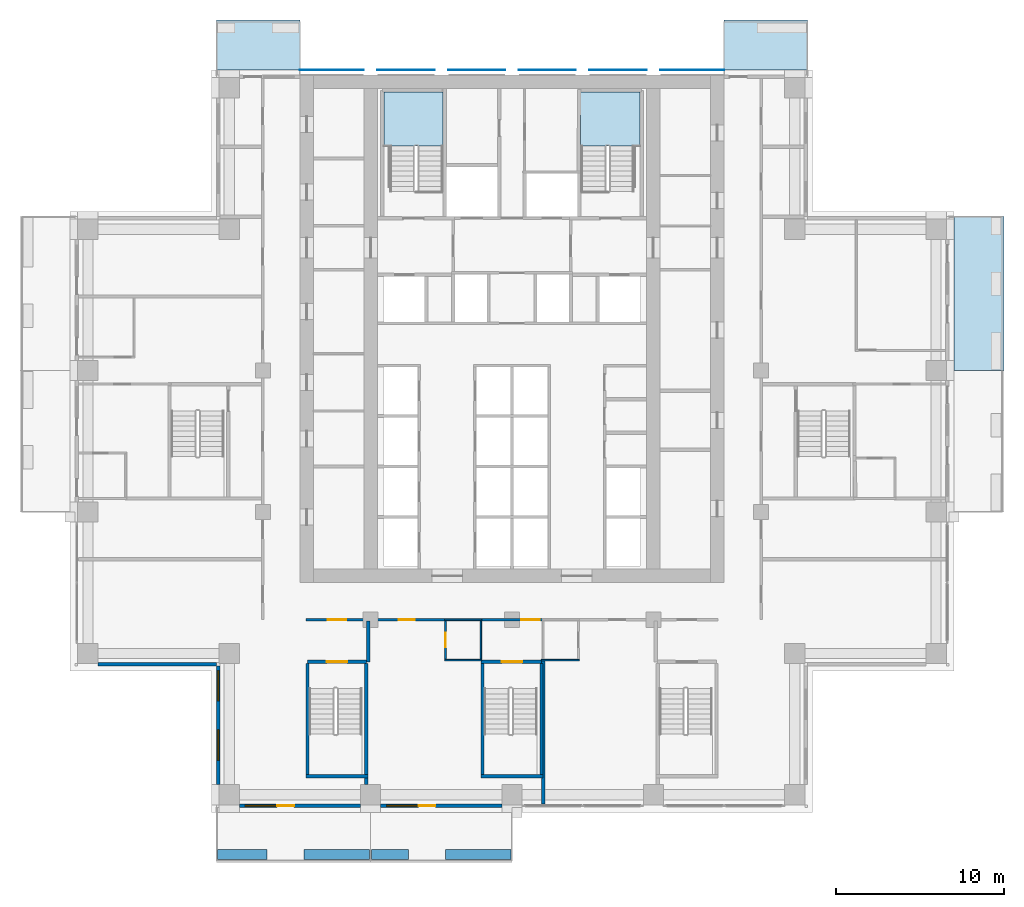
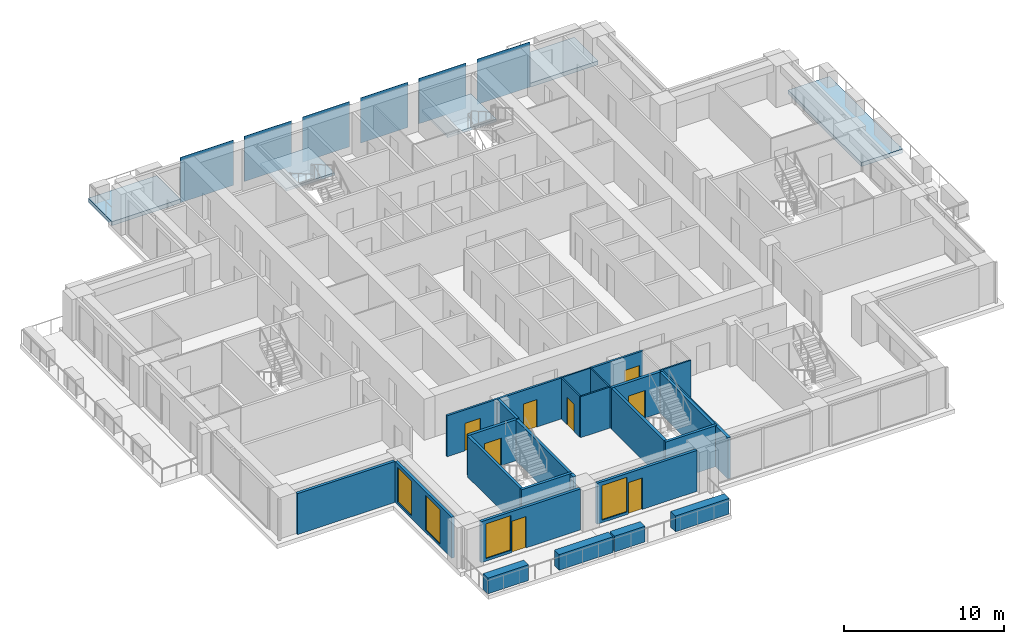
# One storey, part 6 of 16: 25 walls, 8 doors, 6 plates, 5 slabs, 4 windows, 12 openings, 2 elements without a shape of their own.
"""IFC4 building model written with IfcOpenShell, lengths in metres."""

from ifc_helpers import new_model, si_unit, direction, frame, frame_2d, origin, origin_2d, place, context, subcontext, project, spatial, polyline, rectangle, outline, extrude, material, layer, layer_set, type_object, element, fill, aggregate, save


model = new_model("IFC4")

# Units and contexts
model_context = context("Model", 3, precision=1e-05, world=origin(), true_north=direction((0.0, 1.0)))
body_context = subcontext(model_context, "Body", "Model", "MODEL_VIEW")
ifc_project = project(units=[si_unit("LENGTHUNIT", "METRE"), si_unit("AREAUNIT", "SQUARE_METRE"), si_unit("VOLUMEUNIT", "CUBIC_METRE"), si_unit("PLANEANGLEUNIT", "RADIAN"), si_unit("MASSUNIT", "GRAM", prefix="KILO")], contexts=[model_context])

# Site, building, storey
site_placement = place(None, origin())
site = spatial("IfcSite", under=ifc_project, at=site_placement, CompositionType="ELEMENT")
building_placement = place(site_placement, origin())
building = spatial("IfcBuilding", under=site, at=building_placement, Name="Vermilion Ogive Tower", CompositionType="ELEMENT")
storey_placement = place(building_placement, frame((0.0, 0.0, 101.10009765625)))
storey = spatial("IfcBuildingStorey", under=building, at=storey_placement, Name="L25", CompositionType="ELEMENT", Elevation=101.10009765625)

# Slabs
ifc_material_1 = material(Name="Concrete B40", Category="concrete")
ifc_layer_1 = layer(ifc_material_1, 0.300048828125)
ifc_layer_set_1 = layer_set([ifc_layer_1], Name="Balcony slab")
slab_type_1 = type_object("IfcSlabType", Name="Balcony slab", PredefinedType="FLOOR", material=ifc_layer_set_1)
slab_1_placement = place(storey_placement, frame((0.0, 0.0, -0.340087890625)))
element("IfcSlab", 1, at=slab_1_placement, inside=storey, type_object=slab_type_1, Name="Balcony slab E03", PredefinedType="FLOOR", context=body_context, shape_type="SweptSolid", body=[
    extrude(outline(polyline([(29.22998046875, 4.199951171875), (29.22998046875, 13.35009765625), (26.25, 13.35009765625), (26.25, 4.199951171875), (29.22998046875, 4.199951171875)])), origin(), (0.0, 0.0, 1.0), 0.300048828125),
])
slab_2_placement = place(storey_placement, frame((0.0, 0.0, -0.340087890625)))
element("IfcSlab", 2, at=slab_2_placement, inside=storey, type_object=slab_type_1, Name="Balcony slab N101", PredefinedType="FLOOR", context=body_context, shape_type="SweptSolid", body=[
    extrude(outline(polyline([(17.550048828125, 25.030029296875), (12.60009765625, 25.030029296875), (12.60009765625, 22.050048828125), (17.550048828125, 22.050048828125), (17.550048828125, 25.030029296875)])), origin(), (0.0, 0.0, 1.0), 0.300048828125),
])
slab_3_placement = place(storey_placement, frame((0.0, 0.0, -0.340087890625)))
element("IfcSlab", 3, at=slab_3_placement, inside=storey, type_object=slab_type_1, Name="Balcony slab N201", PredefinedType="FLOOR", context=body_context, shape_type="SweptSolid", body=[
    extrude(outline(polyline([(-12.60009765625, 25.030029296875), (-17.550048828125, 25.030029296875), (-17.550048828125, 22.050048828125), (-12.60009765625, 22.050048828125), (-12.60009765625, 25.030029296875)])), origin(), (0.0, 0.0, 1.0), 0.300048828125),
])

# Plates
ifc_material_2 = material(Name="Low-iron laminated glazing in aluminium frame", Category="aluminium")
ifc_layer_2 = layer(ifc_material_2, 0.031982421875)
ifc_layer_set_2 = layer_set([ifc_layer_2], Name="Glazed rainscreen sheet 32")
plate_type = type_object("IfcPlateType", Name="Glazed rainscreen sheet 32", PredefinedType="SHEET", material=ifc_layer_set_2)
plate_1_placement = place(storey_placement, frame((-10.7099609375, 22.06591796875, -0.3203125), z_axis=(0.0, 0.0, 1.0), x_axis=(1.0, 0.0, 0.0)))
element("IfcPlate", 4, at=plate_1_placement, inside=storey, type_object=plate_type, Name="Glazed rainscreen sheet N1", PredefinedType="SHEET", context=body_context, shape_type="SweptSolid", body=[
    extrude(rectangle(XDim=3.820068359375, YDim=0.031982421875, at=origin_2d()), origin(), (0.0, 0.0, 1.0), 3.449951171875),
])
for number, where, z_axis, x_axis, name in (
    (5, (-6.300048828125, 22.06591796875, -0.3203125), (0.0, 0.0, 1.0), (1.0, 0.0, 0.0), "Glazed rainscreen sheet N2"),
    (6, (-2.10009765625, 22.06591796875, -0.3203125), (0.0, 0.0, 1.0), (1.0, 0.0, 0.0), "Glazed rainscreen sheet N3"),
    (7, (2.10009765625, 22.06591796875, -0.3203125), (0.0, 0.0, 1.0), (1.0, 0.0, 0.0), "Glazed rainscreen sheet N4"),
    (8, (6.300048828125, 22.06591796875, -0.3203125), (0.0, 0.0, 1.0), (1.0, 0.0, 0.0), "Glazed rainscreen sheet N5"),
):
    element("IfcPlate", number, at=place(storey_placement, frame(where, z_axis=z_axis, x_axis=x_axis)), inside=storey, type_object=plate_type, Name=name, PredefinedType="SHEET", context=body_context, shape_type="SweptSolid", body=[
        extrude(rectangle(XDim=3.39990234375, YDim=0.031982421875, at=origin_2d()), origin(), (0.0, 0.0, 1.0), 3.449951171875),
    ])
plate_2_placement = place(storey_placement, frame((10.7099609375, 22.06591796875, -0.3203125), z_axis=(0.0, 0.0, 1.0), x_axis=(1.0, 0.0, 0.0)))
element("IfcPlate", 9, at=plate_2_placement, inside=storey, type_object=plate_type, Name="Glazed rainscreen sheet N6", PredefinedType="SHEET", context=body_context, shape_type="SweptSolid", body=[
    extrude(rectangle(XDim=3.820068359375, YDim=0.031982421875, at=origin_2d()), origin(), (0.0, 0.0, 1.0), 3.449951171875),
])

# Stair, slab
ifc_material_3 = material(Name="Concrete B40", Category="concrete")
stair_type = type_object("IfcStairType", Name="Exit stair 1500", PredefinedType="HALF_TURN_STAIR", material=ifc_material_3)
stair_1_placement = place(storey_placement, origin())
stair_1 = element("IfcStair", 10, at=stair_1_placement, inside=storey, type_object=stair_type, Name="L25 Exit Stair ST1", PredefinedType="HALF_TURN_STAIR")
ifc_material_4 = material(Name="Concrete B40", Category="concrete")
ifc_layer_3 = layer(ifc_material_4, 0.199951171875)
ifc_layer_set_3 = layer_set([ifc_layer_3], Name="Stair landing 200")
slab_type_2 = type_object("IfcSlabType", Name="Stair landing 200", PredefinedType="LANDING", material=ifc_layer_set_3)
slab_4_placement = place(storey_placement, frame((0.0, 0.0, 1.52490234375)))
slab_4 = element("IfcSlab", 11, at=slab_4_placement, type_object=slab_type_2, Name="ST1 landing 1", PredefinedType="LANDING", context=body_context, shape_type="SweptSolid", body=[
    extrude(outline(polyline([(-7.60009765625, 17.550048828125), (-7.25, 17.550048828125), (-7.25, 17.548095703125), (-5.75, 17.548095703125), (-5.75, 17.550048828125), (-5.60009765625, 17.550048828125), (-5.60009765625, 17.548095703125), (-4.10009765625, 17.548095703125), (-4.10009765625, 20.75), (-7.60009765625, 20.75), (-7.60009765625, 17.550048828125)])), origin(), (0.0, 0.0, 1.0), 0.199951171875),
])
aggregate(stair_1, [slab_4])

stair_2_placement = place(storey_placement, origin())
stair_2 = element("IfcStair", 12, at=stair_2_placement, inside=storey, type_object=stair_type, Name="L25 Exit Stair ST2", PredefinedType="HALF_TURN_STAIR")
slab_5_placement = place(storey_placement, frame((0.0, 0.0, 1.52490234375)))
slab_5 = element("IfcSlab", 13, at=slab_5_placement, type_object=slab_type_2, Name="ST2 landing 1", PredefinedType="LANDING", context=body_context, shape_type="SweptSolid", body=[
    extrude(outline(polyline([(5.60009765625, 17.550048828125), (5.75, 17.550048828125), (5.75, 17.548095703125), (7.25, 17.548095703125), (7.25, 17.550048828125), (7.60009765625, 17.550048828125), (7.60009765625, 20.75), (4.074951171875, 20.75), (4.074951171875, 17.550048828125), (4.10009765625, 17.550048828125), (4.10009765625, 17.548095703125), (5.60009765625, 17.548095703125), (5.60009765625, 17.550048828125)])), origin(), (0.0, 0.0, 1.0), 0.199951171875),
])
aggregate(stair_2, [slab_5])

# Walls
ifc_material_5 = material(Name="Gypsum board partition on steel studs", Category="steel")
ifc_layer_4 = layer(ifc_material_5, 0.10009765625)
ifc_layer_set_4 = layer_set([ifc_layer_4], Name="Partition 100 bath")
wall_type_1 = type_object("IfcWallType", Name="Partition 100 bath", PredefinedType="PARTITIONING", material=ifc_layer_set_4)
wall_1_placement = place(storey_placement, frame((-4.0, -13.0, 0.0), z_axis=(0.0, 0.0, 1.0), x_axis=(1.0, 0.0, 0.0)))
element("IfcWall", 14, at=wall_1_placement, inside=storey, type_object=wall_type_1, Name="L25-W-W005", PredefinedType="PARTITIONING", context=body_context, shape_type="SweptSolid", body=[
    extrude(rectangle(XDim=2.199951171875, YDim=0.10009765625, at=frame_2d((1.10009765625, 0.0))), origin(), (0.0, 0.0, 1.0), 3.1298828125),
])
wall_2_placement = place(storey_placement, frame((1.75, -13.0, 0.0), z_axis=(0.0, 0.0, 1.0), x_axis=(1.0, 0.0, 0.0)))
element("IfcWall", 15, at=wall_2_placement, inside=storey, type_object=wall_type_1, Name="L25-W-W006", PredefinedType="PARTITIONING", context=body_context, shape_type="SweptSolid", body=[
    extrude(rectangle(XDim=2.25, YDim=0.10009765625, at=frame_2d((1.125, 0.0))), origin(), (0.0, 0.0, 1.0), 3.1298828125),
])
wall_3_placement = place(storey_placement, frame((-4.0, -10.60009765625, 0.0), z_axis=(0.0, 0.0, 1.0), x_axis=(1.0, 0.0, 0.0)))
element("IfcWall", 16, at=wall_3_placement, inside=storey, type_object=wall_type_1, Name="L25-W-W008", PredefinedType="PARTITIONING", context=body_context, shape_type="SweptSolid", body=[
    extrude(rectangle(XDim=2.199951171875, YDim=0.10009765625, at=frame_2d((1.10009765625, 0.0))), origin(), (0.0, 0.0, 1.0), 3.1298828125),
])

# Wall, opening, door
wall_4_placement = place(storey_placement, frame((-3.949951171875, -12.949951171875, 0.0), z_axis=(0.0, 0.0, 1.0), x_axis=(0.0, 1.0, 0.0)))
wall_4 = element("IfcWall", 17, at=wall_4_placement, inside=storey, type_object=wall_type_1, Name="L25-W-W038", PredefinedType="PARTITIONING", context=body_context, shape_type="SweptSolid", body=[
    extrude(rectangle(XDim=2.27490234375, YDim=0.10009765625, at=frame_2d((1.137451171875, 0.0))), origin(), (0.0, 0.0, 1.0), 3.1298828125),
])
opening_1_placement = place(wall_4_placement, frame((0.724853515625, 0.0, 0.0)))
opening_1 = element("IfcOpeningElement", 18, at=opening_1_placement, cuts=wall_4, Name="Opening D2G3010", PredefinedType="OPENING", context=body_context, shape_type="SweptSolid", body=[
    extrude(rectangle(XDim=0.85009765625, YDim=2.10009765625, at=frame_2d((0.425048828125, 1.050048828125))), frame((0.0, 0.06005859375, 0.0), z_axis=(0.0, -1.0, 0.0), x_axis=(1.0, 0.0, 0.0)), (0.0, 0.0, 1.0), 0.1201171875),
])
ifc_material_6 = material(Name="Timber door leaf", Category="wood")
door_type_1 = type_object("IfcDoorType", Name="Bath door 850 x 2100 FD30", OperationType="SINGLE_SWING_LEFT", PredefinedType="DOOR", material=ifc_material_6)
door_1_placement = place(opening_1_placement, origin())
door_1 = element("IfcDoor", 19, at=door_1_placement, inside=storey, type_object=door_type_1, Name="L25-D-D010", OperationType="SINGLE_SWING_RIGHT", OverallHeight=2.10009765625, OverallWidth=0.85009765625, PredefinedType="DOOR", context=body_context, shape_type="SweptSolid", body=[
    extrude(rectangle(XDim=0.85009765625, YDim=2.10009765625, at=frame_2d((0.425048828125, 1.050048828125))), frame((0.0, 0.02490234375, 0.0), z_axis=(0.0, -1.0, 0.0), x_axis=(1.0, 0.0, 0.0)), (0.0, 0.0, 1.0), 0.050048828125),
])
fill(opening_1, door_1)

# Wall
wall_5_placement = place(storey_placement, frame((-1.85009765625, -12.949951171875, 0.0), z_axis=(0.0, 0.0, 1.0), x_axis=(0.0, 1.0, 0.0)))
element("IfcWall", 20, at=wall_5_placement, inside=storey, type_object=wall_type_1, Name="L25-W-W039", PredefinedType="PARTITIONING", context=body_context, shape_type="SweptSolid", body=[
    extrude(rectangle(XDim=2.27490234375, YDim=0.10009765625, at=frame_2d((1.137451171875, 0.0))), origin(), (0.0, 0.0, 1.0), 3.1298828125),
])

# Wall, openings, doors
ifc_material_7 = material(Name="Gypsum board partition on steel studs", Category="steel")
ifc_layer_5 = layer(ifc_material_7, 0.14990234375)
ifc_layer_set_5 = layer_set([ifc_layer_5], Name="Partition 150 corridor")
wall_type_2 = type_object("IfcWallType", Name="Partition 150 corridor", PredefinedType="PARTITIONING", material=ifc_layer_set_5)
wall_6_placement = place(storey_placement, frame((-12.25, -10.60009765625, 0.0), z_axis=(0.0, 0.0, 1.0), x_axis=(1.0, 0.0, 0.0)))
wall_6 = element("IfcWall", 21, at=wall_6_placement, inside=storey, type_object=wall_type_2, Name="L25-W-W007", PredefinedType="PARTITIONING", context=body_context, shape_type="SweptSolid", body=[
    extrude(rectangle(XDim=8.35009765625, YDim=0.14990234375, at=frame_2d((4.175048828125, 0.0))), origin(), (0.0, 0.0, 1.0), 3.1298828125),
])
opening_2_placement = place(wall_6_placement, frame((5.52490234375, 0.0, 0.0)))
opening_2 = element("IfcOpeningElement", 22, at=opening_2_placement, cuts=wall_6, Name="Opening D2G3009", PredefinedType="OPENING", context=body_context, shape_type="SweptSolid", body=[
    extrude(rectangle(XDim=0.949951171875, YDim=2.10009765625, at=frame_2d((0.47509765625, 1.050048828125))), frame((0.0, 0.0849609375, 0.0), z_axis=(0.0, -1.0, 0.0), x_axis=(1.0, 0.0, 0.0)), (0.0, 0.0, 1.0), 0.169921875),
])
opening_3_placement = place(wall_6_placement, frame((1.300048828125, 0.0, 0.0)))
opening_3 = element("IfcOpeningElement", 23, at=opening_3_placement, cuts=wall_6, Name="Opening D2G3020", PredefinedType="OPENING", context=body_context, shape_type="SweptSolid", body=[
    extrude(rectangle(XDim=1.10009765625, YDim=2.10009765625, at=frame_2d((0.550048828125, 1.050048828125))), frame((0.0, 0.0849609375, 0.0), z_axis=(0.0, -1.0, 0.0), x_axis=(1.0, 0.0, 0.0)), (0.0, 0.0, 1.0), 0.169921875),
])
ifc_material_8 = material(Name="Timber door leaf", Category="wood")
door_type_2 = type_object("IfcDoorType", Name="Stair door 1100 x 2100 FD60S", OperationType="SINGLE_SWING_LEFT", PredefinedType="DOOR", material=ifc_material_8)
door_2_placement = place(opening_3_placement, origin())
door_2 = element("IfcDoor", 24, at=door_2_placement, inside=storey, type_object=door_type_2, Name="L25-D-D020", OperationType="SINGLE_SWING_RIGHT", OverallHeight=2.10009765625, OverallWidth=1.10009765625, PredefinedType="DOOR", context=body_context, shape_type="SweptSolid", body=[
    extrude(rectangle(XDim=1.10009765625, YDim=2.10009765625, at=frame_2d((0.550048828125, 1.050048828125))), frame((0.0, 0.02490234375, 0.0), z_axis=(0.0, -1.0, 0.0), x_axis=(1.0, 0.0, 0.0)), (0.0, 0.0, 1.0), 0.050048828125),
])
fill(opening_3, door_2)
ifc_material_9 = material(Name="Timber door leaf", Category="wood")
door_type_3 = type_object("IfcDoorType", Name="Unit door 950 x 2100 FD30S", OperationType="SINGLE_SWING_LEFT", PredefinedType="DOOR", material=ifc_material_9)
door_3_placement = place(opening_2_placement, origin())
door_3 = element("IfcDoor", 25, at=door_3_placement, inside=storey, type_object=door_type_3, Name="L25-D-D009", OperationType="SINGLE_SWING_LEFT", OverallHeight=2.10009765625, OverallWidth=0.949951171875, PredefinedType="DOOR", context=body_context, shape_type="SweptSolid", body=[
    extrude(rectangle(XDim=0.949951171875, YDim=2.10009765625, at=frame_2d((0.47509765625, 1.050048828125))), frame((0.0, 0.02490234375, 0.0), z_axis=(0.0, -1.0, 0.0), x_axis=(1.0, 0.0, 0.0)), (0.0, 0.0, 1.0), 0.050048828125),
])
fill(opening_2, door_3)

# Wall, opening, door
wall_7_placement = place(storey_placement, frame((-1.89990234375, -10.60009765625, 0.0), z_axis=(0.0, 0.0, 1.0), x_axis=(1.0, 0.0, 0.0)))
wall_7 = element("IfcWall", 26, at=wall_7_placement, inside=storey, type_object=wall_type_2, Name="L25-W-W009", PredefinedType="PARTITIONING", context=body_context, shape_type="SweptSolid", body=[
    extrude(rectangle(XDim=3.7998046875, YDim=0.14990234375, at=frame_2d((1.89990234375, 0.0))), origin(), (0.0, 0.0, 1.0), 3.1298828125),
])
opening_4_placement = place(wall_7_placement, frame((2.449951171875, 0.0, 0.0)))
opening_4 = element("IfcOpeningElement", 27, at=opening_4_placement, cuts=wall_7, Name="Opening D2G3022", PredefinedType="OPENING", context=body_context, shape_type="SweptSolid", body=[
    extrude(rectangle(XDim=1.10009765625, YDim=2.10009765625, at=frame_2d((0.550048828125, 1.050048828125))), frame((0.0, 0.0849609375, 0.0), z_axis=(0.0, -1.0, 0.0), x_axis=(1.0, 0.0, 0.0)), (0.0, 0.0, 1.0), 0.169921875),
])
door_4_placement = place(opening_4_placement, origin())
door_4 = element("IfcDoor", 28, at=door_4_placement, inside=storey, type_object=door_type_2, Name="L25-D-D022", OperationType="SINGLE_SWING_LEFT", OverallHeight=2.10009765625, OverallWidth=1.10009765625, PredefinedType="DOOR", context=body_context, shape_type="SweptSolid", body=[
    extrude(rectangle(XDim=1.10009765625, YDim=2.10009765625, at=frame_2d((0.550048828125, 1.050048828125))), frame((0.0, 0.02490234375, 0.0), z_axis=(0.0, -1.0, 0.0), x_axis=(1.0, 0.0, 0.0)), (0.0, 0.0, 1.0), 0.050048828125),
])
fill(opening_4, door_4)

# Walls
ifc_material_10 = material(Name="Gypsum board partition on steel studs", Category="steel")
ifc_layer_6 = layer(ifc_material_10, 0.199951171875)
ifc_layer_set_6 = layer_set([ifc_layer_6], Name="Partition 200 party")
wall_type_3 = type_object("IfcWallType", Name="Partition 200 party", PredefinedType="PARTITIONING", material=ifc_layer_set_6)
wall_8_placement = place(storey_placement, frame((-8.550048828125, -13.10009765625, 0.0), z_axis=(0.0, 0.0, 1.0), x_axis=(0.0, 1.0, 0.0)))
element("IfcWall", 29, at=wall_8_placement, inside=storey, type_object=wall_type_3, Name="L25-W-W037", PredefinedType="PARTITIONING", context=body_context, shape_type="SweptSolid", body=[
    extrude(rectangle(XDim=2.425048828125, YDim=0.199951171875, at=frame_2d((1.21240234375, 0.0))), origin(), (0.0, 0.0, 1.0), 3.1298828125),
])
ifc_material_11 = material(Name="Concrete B60", Category="concrete")
ifc_layer_7 = layer(ifc_material_11, 0.199951171875)
ifc_layer_set_7 = layer_set([ifc_layer_7], Name="Stair shaft wall 200 Concrete B60")
wall_type_4 = type_object("IfcWallType", Name="Stair shaft wall 200 Concrete B60", PredefinedType="SOLIDWALL", material=ifc_layer_set_7)
wall_9_placement = place(storey_placement, frame((-1.847900390625, -19.89990234375, 0.0), z_axis=(0.0, 0.0, 1.0), x_axis=(1.0, 0.0, 0.0)))
element("IfcWall", 30, at=wall_9_placement, inside=storey, type_object=wall_type_4, Name="L25-W-W001", PredefinedType="SOLIDWALL", context=body_context, shape_type="SweptSolid", body=[
    extrude(rectangle(XDim=3.69580078125, YDim=0.199951171875, at=frame_2d((1.847900390625, 0.0))), origin(), (0.0, 0.0, 1.0), 3.1298828125),
])

# Wall, opening, door
wall_10_placement = place(storey_placement, frame((-12.14990234375, -13.10009765625, 0.0), z_axis=(0.0, 0.0, 1.0), x_axis=(1.0, 0.0, 0.0)))
wall_10 = element("IfcWall", 31, at=wall_10_placement, inside=storey, type_object=wall_type_4, Name="L25-W-W002", PredefinedType="SOLIDWALL", context=body_context, shape_type="SweptSolid", body=[
    extrude(rectangle(XDim=3.5, YDim=0.199951171875, at=frame_2d((1.75, 0.0))), origin(), (0.0, 0.0, 1.0), 3.1298828125),
])
opening_5_placement = place(wall_10_placement, frame((1.14990234375, 0.0, 0.0)))
opening_5 = element("IfcOpeningElement", 32, at=opening_5_placement, cuts=wall_10, Name="Opening D2G3021", PredefinedType="OPENING", context=body_context, shape_type="SweptSolid", body=[
    extrude(rectangle(XDim=1.199951171875, YDim=2.10009765625, at=frame_2d((0.60009765625, 1.050048828125))), frame((0.0, 0.10986328125, 0.0), z_axis=(0.0, -1.0, 0.0), x_axis=(1.0, 0.0, 0.0)), (0.0, 0.0, 1.0), 0.219970703125),
])
ifc_material_12 = material(Name="Timber door leaf", Category="wood")
door_type_4 = type_object("IfcDoorType", Name="Stair door 1200 x 2100 FD60S", OperationType="SINGLE_SWING_LEFT", PredefinedType="DOOR", material=ifc_material_12)
door_5_placement = place(opening_5_placement, origin())
door_5 = element("IfcDoor", 33, at=door_5_placement, inside=storey, type_object=door_type_4, Name="L25-D-D021", OperationType="SINGLE_SWING_RIGHT", OverallHeight=2.10009765625, OverallWidth=1.199951171875, PredefinedType="DOOR", context=body_context, shape_type="SweptSolid", body=[
    extrude(rectangle(XDim=1.199951171875, YDim=2.10009765625, at=frame_2d((0.60009765625, 1.050048828125))), frame((0.0, 0.02490234375, 0.0), z_axis=(0.0, -1.0, 0.0), x_axis=(1.0, 0.0, 0.0)), (0.0, 0.0, 1.0), 0.050048828125),
])
fill(opening_5, door_5)

wall_11_placement = place(storey_placement, frame((-1.847900390625, -13.10009765625, 0.0), z_axis=(0.0, 0.0, 1.0), x_axis=(1.0, 0.0, 0.0)))
wall_11 = element("IfcWall", 34, at=wall_11_placement, inside=storey, type_object=wall_type_4, Name="L25-W-W003", PredefinedType="SOLIDWALL", context=body_context, shape_type="SweptSolid", body=[
    extrude(rectangle(XDim=3.595947265625, YDim=0.199951171875, at=frame_2d((1.7978515625, 0.0))), origin(), (0.0, 0.0, 1.0), 3.1298828125),
])
opening_6_placement = place(wall_11_placement, frame((1.247802734375, 0.0, 0.0)))
opening_6 = element("IfcOpeningElement", 35, at=opening_6_placement, cuts=wall_11, Name="Opening D2G3023", PredefinedType="OPENING", context=body_context, shape_type="SweptSolid", body=[
    extrude(rectangle(XDim=1.199951171875, YDim=2.10009765625, at=frame_2d((0.60009765625, 1.050048828125))), frame((0.0, 0.10986328125, 0.0), z_axis=(0.0, -1.0, 0.0), x_axis=(1.0, 0.0, 0.0)), (0.0, 0.0, 1.0), 0.219970703125),
])
door_6_placement = place(opening_6_placement, origin())
door_6 = element("IfcDoor", 36, at=door_6_placement, inside=storey, type_object=door_type_4, Name="L25-D-D023", OperationType="SINGLE_SWING_RIGHT", OverallHeight=2.10009765625, OverallWidth=1.199951171875, PredefinedType="DOOR", context=body_context, shape_type="SweptSolid", body=[
    extrude(rectangle(XDim=1.199951171875, YDim=2.10009765625, at=frame_2d((0.60009765625, 1.050048828125))), frame((0.0, 0.02490234375, 0.0), z_axis=(0.0, -1.0, 0.0), x_axis=(1.0, 0.0, 0.0)), (0.0, 0.0, 1.0), 0.050048828125),
])
fill(opening_6, door_6)

# Walls
for number, where, z_axis, x_axis, name in (
    (37, (-1.75, -19.798095703125, 0.0), (0.0, 0.0, 1.0), (0.0, 1.0, 0.0), "L25-W-W040"),
    (38, (1.75, -19.798095703125, 0.0), (0.0, 0.0, 1.0), (0.0, 1.0, 0.0), "L25-W-W041"),
):
    element("IfcWall", number, at=place(storey_placement, frame(where, z_axis=z_axis, x_axis=x_axis)), inside=storey, type_object=wall_type_4, Name=name, PredefinedType="SOLIDWALL", context=body_context, shape_type="SweptSolid", body=[
        extrude(rectangle(XDim=6.59619140625, YDim=0.199951171875, at=frame_2d((3.298095703125, 0.0))), origin(), (0.0, 0.0, 1.0), 3.1298828125),
    ])
wall_12_placement = place(storey_placement, frame((-12.25, -19.89990234375, 0.0), z_axis=(0.0, 0.0, 1.0), x_axis=(1.0, 0.0, 0.0)))
element("IfcWall", 39, at=wall_12_placement, inside=storey, type_object=wall_type_4, Name="L25-SW-ST3-S1", PredefinedType="SOLIDWALL", context=body_context, shape_type="SweptSolid", body=[
    extrude(rectangle(XDim=3.699951171875, YDim=0.199951171875, at=frame_2d((1.85009765625, 0.0))), origin(), (0.0, 0.0, 1.0), 3.1298828125),
])
wall_13_placement = place(storey_placement, frame((-12.14990234375, -19.800048828125, 0.0), z_axis=(0.0, 0.0, 1.0), x_axis=(0.0, 1.0, 0.0)))
element("IfcWall", 40, at=wall_13_placement, inside=storey, type_object=wall_type_4, Name="L25-SW-ST3-W1", PredefinedType="SOLIDWALL", context=body_context, shape_type="SweptSolid", body=[
    extrude(rectangle(XDim=6.60009765625, YDim=0.199951171875, at=frame_2d((3.300048828125, 0.0))), origin(), (0.0, 0.0, 1.0), 3.1298828125),
])
wall_14_placement = place(storey_placement, frame((-8.64990234375, -20.39990234375, 0.0), z_axis=(0.0, 0.0, 1.0), x_axis=(0.0, 1.0, 0.0)))
element("IfcWall", 41, at=wall_14_placement, inside=storey, type_object=wall_type_4, Name="L25-SW-ST3-E1", PredefinedType="SOLIDWALL", context=body_context, shape_type="SweptSolid", body=[
    extrude(rectangle(XDim=7.199951171875, YDim=0.199951171875, at=frame_2d((3.60009765625, 0.0))), origin(), (0.0, 0.0, 1.0), 3.1298828125),
])
wall_15_placement = place(storey_placement, frame((1.85009765625, -21.550048828125, 0.0), z_axis=(0.0, 0.0, 1.0), x_axis=(0.0, 1.0, 0.0)))
element("IfcWall", 42, at=wall_15_placement, inside=storey, type_object=wall_type_4, Name="L25-W-W042-A", PredefinedType="SOLIDWALL", context=body_context, shape_type="SweptSolid", body=[
    extrude(rectangle(XDim=8.5, YDim=0.199951171875, at=frame_2d((4.25, 0.0))), origin(), (0.0, 0.0, 1.0), 3.1298828125),
])
ifc_material_13 = material(Name="Concrete B40", Category="concrete")
ifc_layer_8 = layer(ifc_material_13, 0.60009765625)
ifc_layer_set_8 = layer_set([ifc_layer_8], Name="Structural planter")
wall_type_5 = type_object("IfcWallType", Name="Structural planter", PredefinedType="USERDEFINED", material=ifc_layer_set_8)
wall_16_placement = place(storey_placement, frame((-17.489990234375, -24.550048828125, -0.0400390625), z_axis=(0.0, 0.0, 1.0), x_axis=(1.0, 0.0, 0.0)))
element("IfcWall", 43, at=wall_16_placement, inside=storey, type_object=wall_type_5, Name="Planter S01A1", ObjectType="PLANTER", PredefinedType="USERDEFINED", context=body_context, shape_type="SweptSolid", body=[
    extrude(rectangle(XDim=2.93994140625, YDim=0.60009765625, at=frame_2d((1.469970703125, 0.0))), origin(), (0.0, 0.0, 1.0), 1.199951171875),
])
wall_17_placement = place(storey_placement, frame((-12.35009765625, -24.550048828125, -0.0400390625), z_axis=(0.0, 0.0, 1.0), x_axis=(1.0, 0.0, 0.0)))
element("IfcWall", 44, at=wall_17_placement, inside=storey, type_object=wall_type_5, Name="Planter S01A2", ObjectType="PLANTER", PredefinedType="USERDEFINED", context=body_context, shape_type="SweptSolid", body=[
    extrude(rectangle(XDim=3.89013671875, YDim=0.60009765625, at=frame_2d((1.945068359375, 0.0))), origin(), (0.0, 0.0, 1.0), 1.199951171875),
])
wall_18_placement = place(storey_placement, frame((-8.340087890625, -24.550048828125, -0.0400390625), z_axis=(0.0, 0.0, 1.0), x_axis=(1.0, 0.0, 0.0)))
element("IfcWall", 45, at=wall_18_placement, inside=storey, type_object=wall_type_5, Name="Planter S02A1", ObjectType="PLANTER", PredefinedType="USERDEFINED", context=body_context, shape_type="SweptSolid", body=[
    extrude(rectangle(XDim=2.190185546875, YDim=0.60009765625, at=frame_2d((1.09521484375, 0.0))), origin(), (0.0, 0.0, 1.0), 1.199951171875),
])
wall_19_placement = place(storey_placement, frame((-3.949951171875, -24.550048828125, -0.0400390625), z_axis=(0.0, 0.0, 1.0), x_axis=(1.0, 0.0, 0.0)))
element("IfcWall", 46, at=wall_19_placement, inside=storey, type_object=wall_type_5, Name="Planter S02A2", ObjectType="PLANTER", PredefinedType="USERDEFINED", context=body_context, shape_type="SweptSolid", body=[
    extrude(rectangle(XDim=3.889892578125, YDim=0.60009765625, at=frame_2d((1.94482421875, 0.0))), origin(), (0.0, 0.0, 1.0), 1.199951171875),
])

# Wall, openings, door, window
ifc_material_14 = material(Name="Aluminium window wall framing", Category="aluminium")
ifc_layer_9 = layer(ifc_material_14, 0.199951171875)
ifc_layer_set_9 = layer_set([ifc_layer_9], Name="Window wall")
wall_type_6 = type_object("IfcWallType", Name="Window wall", PredefinedType="STANDARD", material=ifc_layer_set_9)
wall_20_placement = place(storey_placement, frame((-16.199951171875, -21.64990234375, 0.0), z_axis=(0.0, 0.0, 1.0), x_axis=(1.0, 0.0, 0.0)))
wall_20 = element("IfcWall", 47, at=wall_20_placement, inside=storey, type_object=wall_type_6, Name="Window wall S1", PredefinedType="STANDARD", context=body_context, shape_type="SweptSolid", body=[
    extrude(rectangle(XDim=7.199951171875, YDim=0.199951171875, at=frame_2d((3.60009765625, 0.0))), origin(), (0.0, 0.0, 1.0), 3.1298828125),
])
opening_7_placement = place(wall_20_placement, frame((0.35009765625, 0.0, 0.199951171875)))
opening_7 = element("IfcOpeningElement", 48, at=opening_7_placement, cuts=wall_20, Name="Opening W1-S96", PredefinedType="OPENING", context=body_context, shape_type="SweptSolid", body=[
    extrude(rectangle(XDim=1.800048828125, YDim=2.64990234375, at=frame_2d((0.89990234375, 1.324951171875))), frame((0.0, 0.10986328125, 0.0), z_axis=(0.0, -1.0, 0.0), x_axis=(1.0, 0.0, 0.0)), (0.0, 0.0, 1.0), 0.219970703125),
])
opening_8_placement = place(wall_20_placement, frame((2.25, 0.0, 0.0)))
opening_8 = element("IfcOpeningElement", 49, at=opening_8_placement, cuts=wall_20, Name="Opening D1-S96", PredefinedType="OPENING", context=body_context, shape_type="SweptSolid", body=[
    extrude(rectangle(XDim=1.0, YDim=2.39990234375, at=frame_2d((0.5, 1.199951171875))), frame((0.0, 0.10986328125, 0.0), z_axis=(0.0, -1.0, 0.0), x_axis=(1.0, 0.0, 0.0)), (0.0, 0.0, 1.0), 0.219970703125),
])
ifc_material_15 = material(Name="Aluminium framed glazed door", Category="aluminium")
door_type_5 = type_object("IfcDoorType", Name="Balcony door D1", OperationType="SINGLE_SWING_LEFT", PredefinedType="DOOR", material=ifc_material_15)
door_7_placement = place(opening_8_placement, origin())
door_7 = element("IfcDoor", 50, at=door_7_placement, inside=storey, type_object=door_type_5, Name="Balcony door S96", OperationType="SINGLE_SWING_LEFT", OverallHeight=2.39990234375, OverallWidth=1.0, PredefinedType="DOOR", context=body_context, shape_type="SweptSolid", body=[
    extrude(rectangle(XDim=1.0, YDim=2.39990234375, at=frame_2d((0.5, 1.199951171875))), frame((0.0, 0.02490234375, 0.0), z_axis=(0.0, -1.0, 0.0), x_axis=(1.0, 0.0, 0.0)), (0.0, 0.0, 1.0), 0.050048828125),
])
fill(opening_8, door_7)
ifc_material_16 = material(Name="Aluminium framed double glazing", Category="aluminium")
window_type = type_object("IfcWindowType", Name="Guest window W1", PartitioningType="SINGLE_PANEL", PredefinedType="WINDOW", material=ifc_material_16)
window_1_placement = place(opening_7_placement, origin())
window_1 = element("IfcWindow", 51, at=window_1_placement, inside=storey, type_object=window_type, Name="Window S96", OverallHeight=2.64990234375, OverallWidth=1.800048828125, PartitioningType="SINGLE_PANEL", PredefinedType="WINDOW", context=body_context, shape_type="SweptSolid", body=[
    extrude(rectangle(XDim=1.800048828125, YDim=2.64990234375, at=frame_2d((0.89990234375, 1.324951171875))), frame((0.0, 0.030029296875, 0.0), z_axis=(0.0, -1.0, 0.0), x_axis=(1.0, 0.0, 0.0)), (0.0, 0.0, 1.0), 0.06005859375),
])
fill(opening_7, window_1)

wall_21_placement = place(storey_placement, frame((-7.800048828125, -21.64990234375, 0.0), z_axis=(0.0, 0.0, 1.0), x_axis=(1.0, 0.0, 0.0)))
wall_21 = element("IfcWall", 52, at=wall_21_placement, inside=storey, type_object=wall_type_6, Name="Window wall S2", PredefinedType="STANDARD", context=body_context, shape_type="SweptSolid", body=[
    extrude(rectangle(XDim=7.199951171875, YDim=0.199951171875, at=frame_2d((3.60009765625, 0.0))), origin(), (0.0, 0.0, 1.0), 3.1298828125),
])
opening_9_placement = place(wall_21_placement, frame((0.35009765625, 0.0, 0.199951171875)))
opening_9 = element("IfcOpeningElement", 53, at=opening_9_placement, cuts=wall_21, Name="Opening W1-S98", PredefinedType="OPENING", context=body_context, shape_type="SweptSolid", body=[
    extrude(rectangle(XDim=1.800048828125, YDim=2.64990234375, at=frame_2d((0.89990234375, 1.324951171875))), frame((0.0, 0.10986328125, 0.0), z_axis=(0.0, -1.0, 0.0), x_axis=(1.0, 0.0, 0.0)), (0.0, 0.0, 1.0), 0.219970703125),
])
opening_10_placement = place(wall_21_placement, frame((2.25, 0.0, 0.0)))
opening_10 = element("IfcOpeningElement", 54, at=opening_10_placement, cuts=wall_21, Name="Opening D1-S98", PredefinedType="OPENING", context=body_context, shape_type="SweptSolid", body=[
    extrude(rectangle(XDim=1.0, YDim=2.39990234375, at=frame_2d((0.5, 1.199951171875))), frame((0.0, 0.10986328125, 0.0), z_axis=(0.0, -1.0, 0.0), x_axis=(1.0, 0.0, 0.0)), (0.0, 0.0, 1.0), 0.219970703125),
])
door_8_placement = place(opening_10_placement, origin())
door_8 = element("IfcDoor", 55, at=door_8_placement, inside=storey, type_object=door_type_5, Name="Balcony door S98", OperationType="SINGLE_SWING_LEFT", OverallHeight=2.39990234375, OverallWidth=1.0, PredefinedType="DOOR", context=body_context, shape_type="SweptSolid", body=[
    extrude(rectangle(XDim=1.0, YDim=2.39990234375, at=frame_2d((0.5, 1.199951171875))), frame((0.0, 0.02490234375, 0.0), z_axis=(0.0, -1.0, 0.0), x_axis=(1.0, 0.0, 0.0)), (0.0, 0.0, 1.0), 0.050048828125),
])
fill(opening_10, door_8)
window_2_placement = place(opening_9_placement, origin())
window_2 = element("IfcWindow", 56, at=window_2_placement, inside=storey, type_object=window_type, Name="Window S98", OverallHeight=2.64990234375, OverallWidth=1.800048828125, PartitioningType="SINGLE_PANEL", PredefinedType="WINDOW", context=body_context, shape_type="SweptSolid", body=[
    extrude(rectangle(XDim=1.800048828125, YDim=2.64990234375, at=frame_2d((0.89990234375, 1.324951171875))), frame((0.0, 0.030029296875, 0.0), z_axis=(0.0, -1.0, 0.0), x_axis=(1.0, 0.0, 0.0)), (0.0, 0.0, 1.0), 0.06005859375),
])
fill(opening_9, window_2)

# Wall
wall_22_placement = place(storey_placement, frame((-24.60009765625, -13.25, 0.0), z_axis=(0.0, 0.0, 1.0), x_axis=(1.0, 0.0, 0.0)))
element("IfcWall", 57, at=wall_22_placement, inside=storey, type_object=wall_type_6, Name="Window wall X71", PredefinedType="STANDARD", context=body_context, shape_type="SweptSolid", body=[
    extrude(rectangle(XDim=7.050048828125, YDim=0.199951171875, at=frame_2d((3.52490234375, 0.0))), origin(), (0.0, 0.0, 1.0), 3.1298828125),
])

# Wall, openings, windows
wall_23_placement = place(storey_placement, frame((-17.449951171875, -13.35009765625, 0.0), z_axis=(0.0, 0.0, 1.0), x_axis=(0.0, -1.0, 0.0)))
wall_23 = element("IfcWall", 58, at=wall_23_placement, inside=storey, type_object=wall_type_6, Name="Window wall X81", PredefinedType="STANDARD", context=body_context, shape_type="SweptSolid", body=[
    extrude(rectangle(XDim=7.0498046875, YDim=0.199951171875, at=frame_2d((3.52490234375, 0.0))), origin(), (0.0, 0.0, 1.0), 3.1298828125),
])
opening_11_placement = place(wall_23_placement, frame((3.800048828125, 0.0, 0.199951171875)))
opening_11 = element("IfcOpeningElement", 59, at=opening_11_placement, cuts=wall_23, Name="Opening W1-X895", PredefinedType="OPENING", context=body_context, shape_type="SweptSolid", body=[
    extrude(rectangle(XDim=1.800048828125, YDim=2.64990234375, at=frame_2d((0.89990234375, 1.324951171875))), frame((0.0, 0.10986328125, 0.0), z_axis=(0.0, -1.0, 0.0), x_axis=(1.0, 0.0, 0.0)), (0.0, 0.0, 1.0), 0.219970703125),
])
opening_12_placement = place(wall_23_placement, frame((0.27490234375, 0.0, 0.199951171875)))
opening_12 = element("IfcOpeningElement", 60, at=opening_12_placement, cuts=wall_23, Name="Opening W1-X896", PredefinedType="OPENING", context=body_context, shape_type="SweptSolid", body=[
    extrude(rectangle(XDim=1.800048828125, YDim=2.64990234375, at=frame_2d((0.89990234375, 1.324951171875))), frame((0.0, 0.10986328125, 0.0), z_axis=(0.0, -1.0, 0.0), x_axis=(1.0, 0.0, 0.0)), (0.0, 0.0, 1.0), 0.219970703125),
])
window_3_placement = place(opening_11_placement, origin())
window_3 = element("IfcWindow", 61, at=window_3_placement, inside=storey, type_object=window_type, Name="Window X895", OverallHeight=2.64990234375, OverallWidth=1.800048828125, PartitioningType="SINGLE_PANEL", PredefinedType="WINDOW", context=body_context, shape_type="SweptSolid", body=[
    extrude(rectangle(XDim=1.800048828125, YDim=2.64990234375, at=frame_2d((0.89990234375, 1.324951171875))), frame((0.0, 0.030029296875, 0.0), z_axis=(0.0, -1.0, 0.0), x_axis=(1.0, 0.0, 0.0)), (0.0, 0.0, 1.0), 0.06005859375),
])
fill(opening_11, window_3)
window_4_placement = place(opening_12_placement, origin())
window_4 = element("IfcWindow", 62, at=window_4_placement, inside=storey, type_object=window_type, Name="Window X896", OverallHeight=2.64990234375, OverallWidth=1.800048828125, PartitioningType="SINGLE_PANEL", PredefinedType="WINDOW", context=body_context, shape_type="SweptSolid", body=[
    extrude(rectangle(XDim=1.800048828125, YDim=2.64990234375, at=frame_2d((0.89990234375, 1.324951171875))), frame((0.0, 0.030029296875, 0.0), z_axis=(0.0, -1.0, 0.0), x_axis=(1.0, 0.0, 0.0)), (0.0, 0.0, 1.0), 0.06005859375),
])
fill(opening_12, window_4)

save(model, "model.ifc")
